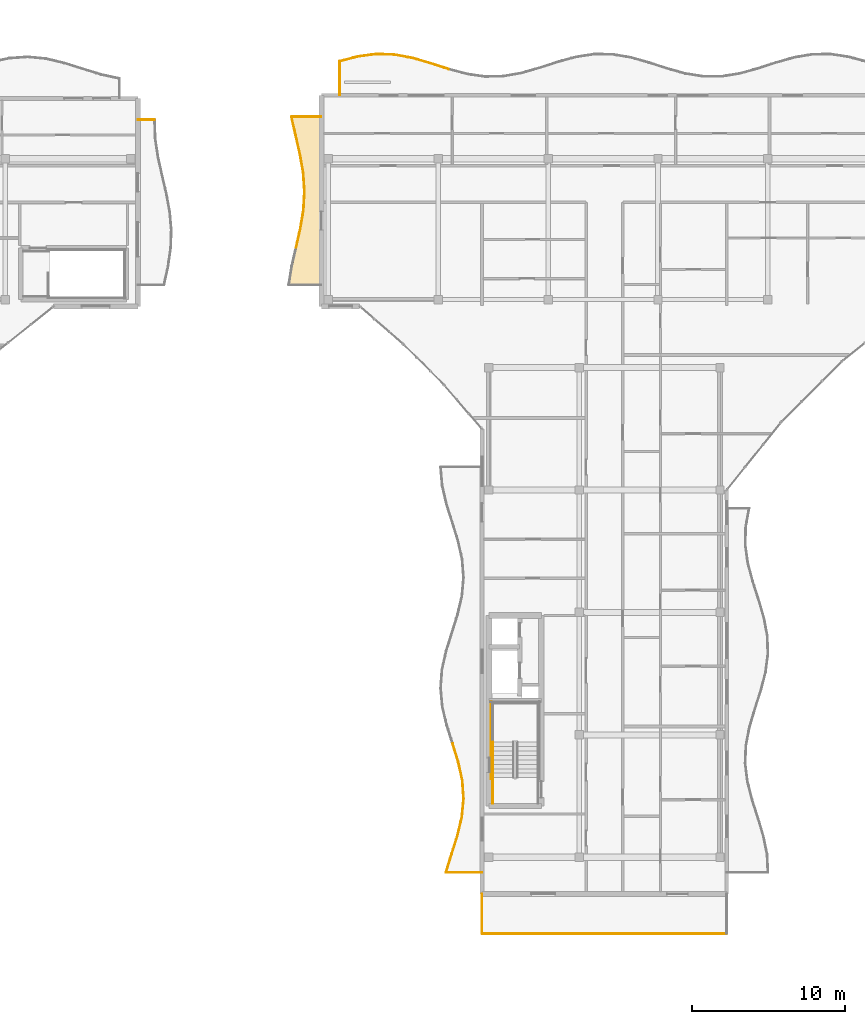
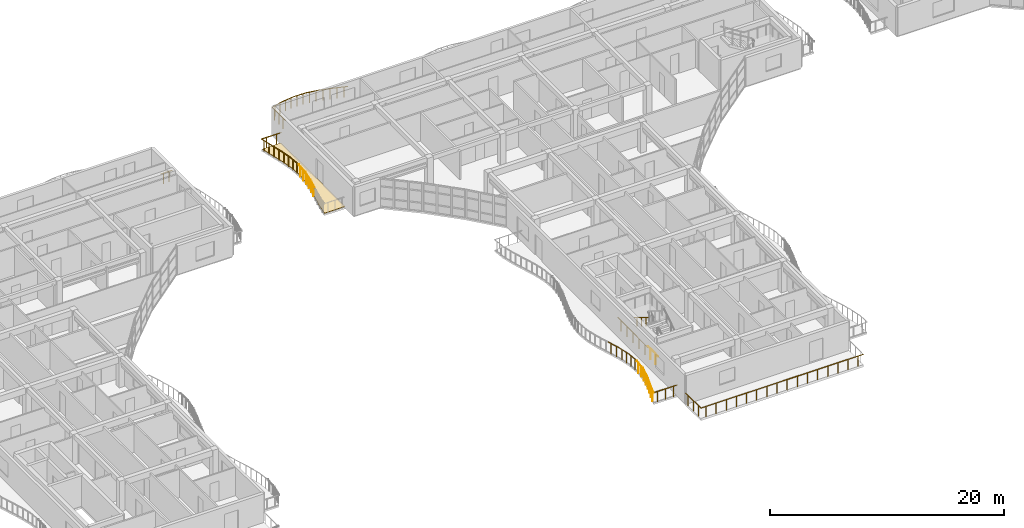
# One storey, part 40 of 49: 29 railings, 1 covering.
"""IFC4 building model written with IfcOpenShell, lengths in metres."""

from ifc_helpers import new_model, si_unit, direction, frame, origin, origin_2d, place, context, subcontext, project, spatial, polyline, circle, outline, extrude, material, layer, layer_set, type_object, element, save


model = new_model("IFC4")

# Units and contexts
model_context = context("Model", 3, precision=1e-05, world=origin(), true_north=direction((0.0, 1.0)))
body_context = subcontext(model_context, "Body", "Model", "MODEL_VIEW")
ifc_project = project(units=[si_unit("LENGTHUNIT", "METRE"), si_unit("AREAUNIT", "SQUARE_METRE"), si_unit("VOLUMEUNIT", "CUBIC_METRE"), si_unit("PLANEANGLEUNIT", "RADIAN"), si_unit("MASSUNIT", "GRAM", prefix="KILO")], contexts=[model_context])

# Site, building, storey
site_placement = place(None, origin())
site = spatial("IfcSite", under=ifc_project, at=site_placement, CompositionType="ELEMENT")
building_placement = place(site_placement, origin())
building = spatial("IfcBuilding", under=site, at=building_placement, Name="Keldmere Railside Commons", CompositionType="ELEMENT")
storey_placement = place(building_placement, frame((0.0, 0.0, 29.760009765625)))
storey = spatial("IfcBuildingStorey", under=building, at=storey_placement, Name="L09", CompositionType="ELEMENT", Elevation=29.760009765625)

# Railings
ifc_material_1 = material(Name="Steel F-24 (S235)", Category="steel")
railing_type_1 = type_object("IfcRailingType", Name="Balcony & Terrace Steel Balustrade 1100", PredefinedType="BALUSTRADE", material=ifc_material_1)
railing_1_placement = place(storey_placement, frame((82.603759765625, 112.199951171875, 0.0)))
element("IfcRailing", 1, at=railing_1_placement, inside=storey, type_object=railing_type_1, Name="GR-1 GRD-L09-1829", PredefinedType="BALUSTRADE", context=body_context, shape_type="SweptSolid", body=[
    extrude(circle(Radius=0.02392578125, at=origin_2d()), frame((0.0, 0.0, 1.076171875), z_axis=(-1.0, 0.0, 0.0), x_axis=(0.0, -1.0, 0.0)), (0.0, 0.0, 1.0), 1.103759765625),
    extrude(circle(Radius=0.02099609375, at=origin_2d()), frame((-0.27587890625, 0.0, 0.0)), (0.0, 0.0, 1.0), 1.048095703125),
    extrude(circle(Radius=0.02099609375, at=origin_2d()), frame((-0.827880859375, 0.0, 0.0)), (0.0, 0.0, 1.0), 1.048095703125),
])
railing_2_placement = place(storey_placement, frame((94.699951171875, 113.800048828125, 0.0)))
element("IfcRailing", 2, at=railing_2_placement, inside=storey, type_object=railing_type_1, Name="GR-1 GRD-L09-2839", PredefinedType="BALUSTRADE", context=body_context, shape_type="SweptSolid", body=[
    extrude(circle(Radius=0.02392578125, at=origin_2d()), frame((0.0, 0.0, 1.076171875), z_axis=(0.0, 1.0, 0.0), x_axis=(-1.0, 0.0, 0.0)), (0.0, 0.0, 1.0), 2.218994140625),
    extrude(circle(Radius=0.02099609375, at=origin_2d()), frame((0.0, 0.369873046875, 0.0)), (0.0, 0.0, 1.0), 1.048095703125),
    extrude(circle(Radius=0.02099609375, at=origin_2d()), frame((0.0, 1.109375, 0.0)), (0.0, 0.0, 1.0), 1.048095703125),
    extrude(circle(Radius=0.02099609375, at=origin_2d()), frame((0.0, 1.84912109375, 0.0)), (0.0, 0.0, 1.0), 1.048095703125),
])
railing_3_placement = place(storey_placement, frame((94.699951171875, 116.01904296875, 0.0)))
element("IfcRailing", 3, at=railing_3_placement, inside=storey, type_object=railing_type_1, Name="GR-1 GRD-L09-2840", PredefinedType="BALUSTRADE", context=body_context, shape_type="SweptSolid", body=[
    extrude(circle(Radius=0.02392578125, at=origin_2d()), frame((0.0, 0.0, 1.076171875), z_axis=(0.967333953499, 0.2535054682, 0.0), x_axis=(-0.2535054682, 0.967333953499, 0.0)), (0.0, 0.0, 1.0), 1.228759765625),
    extrude(circle(Radius=0.02099609375, at=origin_2d()), frame((0.297119140625, 0.077880859375, 0.0)), (0.0, 0.0, 1.0), 1.048095703125),
    extrude(circle(Radius=0.02099609375, at=origin_2d()), frame((0.8916015625, 0.233642578125, 0.0)), (0.0, 0.0, 1.0), 1.048095703125),
])
railing_4_placement = place(storey_placement, frame((95.888671875, 116.33056640625, 0.0)))
element("IfcRailing", 4, at=railing_4_placement, inside=storey, type_object=railing_type_1, Name="GR-1 GRD-L09-2841", PredefinedType="BALUSTRADE", context=body_context, shape_type="SweptSolid", body=[
    extrude(circle(Radius=0.02392578125, at=origin_2d()), frame((0.0, 0.0, 1.076171875), z_axis=(0.991176255735, 0.1325504812, 0.0), x_axis=(-0.1325504812, 0.991176255735, 0.0)), (0.0, 0.0, 1.0), 1.198974609375),
    extrude(circle(Radius=0.02099609375, at=origin_2d()), frame((0.297119140625, 0.039794921875, 0.0)), (0.0, 0.0, 1.0), 1.048095703125),
    extrude(circle(Radius=0.02099609375, at=origin_2d()), frame((0.891357421875, 0.119140625, 0.0)), (0.0, 0.0, 1.0), 1.048095703125),
])
railing_5_placement = place(storey_placement, frame((97.0771484375, 116.489501953125, 0.0)))
element("IfcRailing", 5, at=railing_5_placement, inside=storey, type_object=railing_type_1, Name="GR-1 GRD-L09-2842", PredefinedType="BALUSTRADE", context=body_context, shape_type="SweptSolid", body=[
    extrude(circle(Radius=0.02392578125, at=origin_2d()), frame((0.0, 0.0, 1.076171875), z_axis=(0.999556681353, -0.029773155053, 0.0), x_axis=(0.029773155053, 0.999556681353, 0.0)), (0.0, 0.0, 1.0), 1.18896484375),
    extrude(circle(Radius=0.02099609375, at=origin_2d()), frame((0.297119140625, -0.0087890625, 0.0)), (0.0, 0.0, 1.0), 1.048095703125),
    extrude(circle(Radius=0.02099609375, at=origin_2d()), frame((0.891357421875, -0.026611328125, 0.0)), (0.0, 0.0, 1.0), 1.048095703125),
])
railing_6_placement = place(storey_placement, frame((98.265625, 116.4541015625, 0.0)))
element("IfcRailing", 6, at=railing_6_placement, inside=storey, type_object=railing_type_1, Name="GR-1 GRD-L09-2843", PredefinedType="BALUSTRADE", context=body_context, shape_type="SweptSolid", body=[
    extrude(circle(Radius=0.02392578125, at=origin_2d()), frame((0.0, 0.0, 1.076171875), z_axis=(0.98319753875, -0.182544788464, 0.0), x_axis=(0.182544788464, 0.98319753875, 0.0)), (0.0, 0.0, 1.0), 1.208984375),
    extrude(circle(Radius=0.02099609375, at=origin_2d()), frame((0.297119140625, -0.05517578125, 0.0)), (0.0, 0.0, 1.0), 1.048095703125),
    extrude(circle(Radius=0.02099609375, at=origin_2d()), frame((0.8916015625, -0.16552734375, 0.0)), (0.0, 0.0, 1.0), 1.048095703125),
])
railing_7_placement = place(storey_placement, frame((99.454345703125, 116.2333984375, 0.0)))
element("IfcRailing", 7, at=railing_7_placement, inside=storey, type_object=railing_type_1, Name="GR-1 GRD-L09-2844", PredefinedType="BALUSTRADE", context=body_context, shape_type="SweptSolid", body=[
    extrude(circle(Radius=0.02392578125, at=origin_2d()), frame((0.0, 0.0, 1.076171875), z_axis=(0.959725739227, -0.280938615119, 0.0), x_axis=(0.280938615119, 0.959725739227, 0.0)), (0.0, 0.0, 1.0), 1.23828125),
    extrude(circle(Radius=0.02099609375, at=origin_2d()), frame((0.297119140625, -0.0869140625, 0.0)), (0.0, 0.0, 1.0), 1.048095703125),
    extrude(circle(Radius=0.02099609375, at=origin_2d()), frame((0.891357421875, -0.260986328125, 0.0)), (0.0, 0.0, 1.0), 1.048095703125),
])
railing_8_placement = place(storey_placement, frame((100.642822265625, 115.885498046875, 0.0)))
element("IfcRailing", 8, at=railing_8_placement, inside=storey, type_object=railing_type_1, Name="GR-1 GRD-L09-2845", PredefinedType="BALUSTRADE", context=body_context, shape_type="SweptSolid", body=[
    extrude(circle(Radius=0.02392578125, at=origin_2d()), frame((0.0, 0.0, 1.076171875), z_axis=(0.951727042699, -0.306945656746, 0.0), x_axis=(0.306945656746, 0.951727042699, 0.0)), (0.0, 0.0, 1.0), 1.248779296875),
    extrude(circle(Radius=0.02099609375, at=origin_2d()), frame((0.297119140625, -0.095703125, 0.0)), (0.0, 0.0, 1.0), 1.048095703125),
    extrude(circle(Radius=0.02099609375, at=origin_2d()), frame((0.891357421875, -0.28759765625, 0.0)), (0.0, 0.0, 1.0), 1.048095703125),
])
railing_9_placement = place(storey_placement, frame((104.0, 63.0, 0.0)))
element("IfcRailing", 9, at=railing_9_placement, inside=storey, type_object=railing_type_1, Name="GR-1 GRD-L09-2898", PredefinedType="BALUSTRADE", context=body_context, shape_type="SweptSolid", body=[
    extrude(circle(Radius=0.02392578125, at=origin_2d()), frame((0.0, 0.0, 1.076171875), z_axis=(-1.0, 0.0, 0.0), x_axis=(0.0, -1.0, 0.0)), (0.0, 0.0, 1.0), 2.357666015625),
    extrude(circle(Radius=0.02099609375, at=origin_2d()), frame((-0.39306640625, 0.0, 0.0)), (0.0, 0.0, 1.0), 1.048095703125),
    extrude(circle(Radius=0.02099609375, at=origin_2d()), frame((-1.1787109375, 0.0, 0.0)), (0.0, 0.0, 1.0), 1.048095703125),
    extrude(circle(Radius=0.02099609375, at=origin_2d()), frame((-1.96484375, 0.0, 0.0)), (0.0, 0.0, 1.0), 1.048095703125),
])
railing_10_placement = place(storey_placement, frame((101.642333984375, 63.0, 0.0)))
element("IfcRailing", 10, at=railing_10_placement, inside=storey, type_object=railing_type_1, Name="GR-1 GRD-L09-2899", PredefinedType="BALUSTRADE", context=body_context, shape_type="SweptSolid", body=[
    extrude(circle(Radius=0.02392578125, at=origin_2d()), frame((0.0, 0.0, 1.076171875), z_axis=(0.294235572777, 0.955732926979, 0.0), x_axis=(-0.955732926979, 0.294235572777, 0.0)), (0.0, 0.0, 1.0), 1.260498046875),
    extrude(circle(Radius=0.02099609375, at=origin_2d()), frame((0.0927734375, 0.30126953125, 0.0)), (0.0, 0.0, 1.0), 1.048095703125),
    extrude(circle(Radius=0.02099609375, at=origin_2d()), frame((0.278076171875, 0.9033203125, 0.0)), (0.0, 0.0, 1.0), 1.048095703125),
])
railing_11_placement = place(storey_placement, frame((102.01318359375, 64.20458984375, 0.0)))
element("IfcRailing", 11, at=railing_11_placement, inside=storey, type_object=railing_type_1, Name="GR-1 GRD-L09-2900", PredefinedType="BALUSTRADE", context=body_context, shape_type="SweptSolid", body=[
    extrude(circle(Radius=0.02392578125, at=origin_2d()), frame((0.0, 0.0, 1.076171875), z_axis=(0.301288598616, 0.953532999085, 0.0), x_axis=(-0.953532999085, 0.301288598616, 0.0)), (0.0, 0.0, 1.0), 1.26318359375),
    extrude(circle(Radius=0.02099609375, at=origin_2d()), frame((0.09521484375, 0.30126953125, 0.0)), (0.0, 0.0, 1.0), 1.048095703125),
    extrude(circle(Radius=0.02099609375, at=origin_2d()), frame((0.285400390625, 0.9033203125, 0.0)), (0.0, 0.0, 1.0), 1.048095703125),
])
railing_12_placement = place(storey_placement, frame((102.393798828125, 65.4091796875, 0.0)))
element("IfcRailing", 12, at=railing_12_placement, inside=storey, type_object=railing_type_1, Name="GR-1 GRD-L09-2901", PredefinedType="BALUSTRADE", context=body_context, shape_type="SweptSolid", body=[
    extrude(circle(Radius=0.02392578125, at=origin_2d()), frame((0.0, 0.0, 1.076171875), z_axis=(0.232642132934, 0.972562408272, 0.0), x_axis=(-0.972562408272, 0.232642132934, 0.0)), (0.0, 0.0, 1.0), 1.23828125),
    extrude(circle(Radius=0.02099609375, at=origin_2d()), frame((0.072021484375, 0.301025390625, 0.0)), (0.0, 0.0, 1.0), 1.048095703125),
    extrude(circle(Radius=0.02099609375, at=origin_2d()), frame((0.216064453125, 0.9033203125, 0.0)), (0.0, 0.0, 1.0), 1.048095703125),
])
railing_13_placement = place(storey_placement, frame((102.681884765625, 66.613525390625, 0.0)))
element("IfcRailing", 13, at=railing_13_placement, inside=storey, type_object=railing_type_1, Name="GR-1 GRD-L09-2902", PredefinedType="BALUSTRADE", context=body_context, shape_type="SweptSolid", body=[
    extrude(circle(Radius=0.02392578125, at=origin_2d()), frame((0.0, 0.0, 1.076171875), z_axis=(0.097026860186, 0.995281763323, 0.0), x_axis=(-0.995281763323, 0.097026860186, 0.0)), (0.0, 0.0, 1.0), 1.210205078125),
    extrude(circle(Radius=0.02099609375, at=origin_2d()), frame((0.029296875, 0.30126953125, 0.0)), (0.0, 0.0, 1.0), 1.048095703125),
    extrude(circle(Radius=0.02099609375, at=origin_2d()), frame((0.088134765625, 0.9033203125, 0.0)), (0.0, 0.0, 1.0), 1.048095703125),
])
railing_14_placement = place(storey_placement, frame((102.79931640625, 67.818115234375, 0.0)))
element("IfcRailing", 14, at=railing_14_placement, inside=storey, type_object=railing_type_1, Name="GR-1 GRD-L09-2903", PredefinedType="BALUSTRADE", context=body_context, shape_type="SweptSolid", body=[
    extrude(circle(Radius=0.02392578125, at=origin_2d()), frame((0.0, 0.0, 1.076171875), z_axis=(-0.070356228554, 0.997521930137, 0.0), x_axis=(-0.997521930137, -0.070356228554, 0.0)), (0.0, 0.0, 1.0), 1.20751953125),
    extrude(circle(Radius=0.02099609375, at=origin_2d()), frame((-0.021240234375, 0.30126953125, 0.0)), (0.0, 0.0, 1.0), 1.048095703125),
    extrude(circle(Radius=0.02099609375, at=origin_2d()), frame((-0.063720703125, 0.9033203125, 0.0)), (0.0, 0.0, 1.0), 1.048095703125),
])
railing_15_placement = place(storey_placement, frame((102.71435546875, 69.022705078125, 0.0)))
element("IfcRailing", 15, at=railing_15_placement, inside=storey, type_object=railing_type_1, Name="GR-1 GRD-L09-2904", PredefinedType="BALUSTRADE", context=body_context, shape_type="SweptSolid", body=[
    extrude(circle(Radius=0.02392578125, at=origin_2d()), frame((0.0, 0.0, 1.076171875), z_axis=(-0.214204600301, 0.976788815052, 0.0), x_axis=(-0.976788815052, -0.214204600301, 0.0)), (0.0, 0.0, 1.0), 1.233154296875),
    extrude(circle(Radius=0.02099609375, at=origin_2d()), frame((-0.06591796875, 0.30126953125, 0.0)), (0.0, 0.0, 1.0), 1.048095703125),
    extrude(circle(Radius=0.02099609375, at=origin_2d()), frame((-0.1982421875, 0.9033203125, 0.0)), (0.0, 0.0, 1.0), 1.048095703125),
])
railing_16_placement = place(storey_placement, frame((102.4501953125, 70.227294921875, 0.0)))
element("IfcRailing", 16, at=railing_16_placement, inside=storey, type_object=railing_type_1, Name="GR-1 GRD-L09-2905", PredefinedType="BALUSTRADE", context=body_context, shape_type="SweptSolid", body=[
    extrude(circle(Radius=0.02392578125, at=origin_2d()), frame((0.0, 0.0, 1.076171875), z_axis=(-0.295296629879, 0.955405620866, 0.0), x_axis=(-0.955405620866, -0.295296629879, 0.0)), (0.0, 0.0, 1.0), 1.2607421875),
    extrude(circle(Radius=0.02099609375, at=origin_2d()), frame((-0.093017578125, 0.30126953125, 0.0)), (0.0, 0.0, 1.0), 1.048095703125),
    extrude(circle(Radius=0.02099609375, at=origin_2d()), frame((-0.279296875, 0.9033203125, 0.0)), (0.0, 0.0, 1.0), 1.048095703125),
])
railing_17_placement = place(storey_placement, frame((91.845458984375, 103.844482421875, 0.0)))
element("IfcRailing", 17, at=railing_17_placement, inside=storey, type_object=railing_type_1, Name="GR-1 GRD-L09-2936", PredefinedType="BALUSTRADE", context=body_context, shape_type="SweptSolid", body=[
    extrude(circle(Radius=0.02392578125, at=origin_2d()), frame((0.0, 0.0, 1.076171875), z_axis=(0.223522604913, 0.974698745815, 0.0), x_axis=(-0.974698745815, 0.223522604913, 0.0)), (0.0, 0.0, 1.0), 1.25390625),
    extrude(circle(Radius=0.02099609375, at=origin_2d()), frame((0.070068359375, 0.3056640625, 0.0)), (0.0, 0.0, 1.0), 1.048095703125),
    extrude(circle(Radius=0.02099609375, at=origin_2d()), frame((0.210205078125, 0.91650390625, 0.0)), (0.0, 0.0, 1.0), 1.048095703125),
])
railing_18_placement = place(storey_placement, frame((92.125732421875, 105.066650390625, 0.0)))
element("IfcRailing", 18, at=railing_18_placement, inside=storey, type_object=railing_type_1, Name="GR-1 GRD-L09-2937", PredefinedType="BALUSTRADE", context=body_context, shape_type="SweptSolid", body=[
    extrude(circle(Radius=0.02392578125, at=origin_2d()), frame((0.0, 0.0, 1.076171875), z_axis=(0.164335080649, 0.986404572814, 0.0), x_axis=(-0.986404572814, 0.164335080649, 0.0)), (0.0, 0.0, 1.0), 1.239013671875),
    extrude(circle(Radius=0.02099609375, at=origin_2d()), frame((0.05078125, 0.3056640625, 0.0)), (0.0, 0.0, 1.0), 1.048095703125),
    extrude(circle(Radius=0.02099609375, at=origin_2d()), frame((0.15283203125, 0.91650390625, 0.0)), (0.0, 0.0, 1.0), 1.048095703125),
])
railing_19_placement = place(storey_placement, frame((92.329345703125, 106.288818359375, 0.0)))
element("IfcRailing", 19, at=railing_19_placement, inside=storey, type_object=railing_type_1, Name="GR-1 GRD-L09-2938", PredefinedType="BALUSTRADE", context=body_context, shape_type="SweptSolid", body=[
    extrude(circle(Radius=0.02392578125, at=origin_2d()), frame((0.0, 0.0, 1.076171875), z_axis=(0.057634759412, 0.998337735692, 0.0), x_axis=(-0.998337735692, 0.057634759412, 0.0)), (0.0, 0.0, 1.0), 1.22412109375),
    extrude(circle(Radius=0.02099609375, at=origin_2d()), frame((0.017578125, 0.3056640625, 0.0)), (0.0, 0.0, 1.0), 1.048095703125),
    extrude(circle(Radius=0.02099609375, at=origin_2d()), frame((0.052978515625, 0.91650390625, 0.0)), (0.0, 0.0, 1.0), 1.048095703125),
])
railing_20_placement = place(storey_placement, frame((92.39990234375, 107.510986328125, 0.0)))
element("IfcRailing", 20, at=railing_20_placement, inside=storey, type_object=railing_type_1, Name="GR-1 GRD-L09-2939", PredefinedType="BALUSTRADE", context=body_context, shape_type="SweptSolid", body=[
    extrude(circle(Radius=0.02392578125, at=origin_2d()), frame((0.0, 0.0, 1.076171875), z_axis=(-0.067153838102, 0.997742633162, 0.0), x_axis=(-0.997742633162, -0.067153838102, 0.0)), (0.0, 0.0, 1.0), 1.22509765625),
    extrude(circle(Radius=0.02099609375, at=origin_2d()), frame((-0.0205078125, 0.3056640625, 0.0)), (0.0, 0.0, 1.0), 1.048095703125),
    extrude(circle(Radius=0.02099609375, at=origin_2d()), frame((-0.061767578125, 0.916748046875, 0.0)), (0.0, 0.0, 1.0), 1.048095703125),
])
railing_21_placement = place(storey_placement, frame((92.317626953125, 108.7333984375, 0.0)))
element("IfcRailing", 21, at=railing_21_placement, inside=storey, type_object=railing_type_1, Name="GR-1 GRD-L09-2940", PredefinedType="BALUSTRADE", context=body_context, shape_type="SweptSolid", body=[
    extrude(circle(Radius=0.02392578125, at=origin_2d()), frame((0.0, 0.0, 1.076171875), z_axis=(-0.170842774128, 0.985298303322, 0.0), x_axis=(-0.985298303322, -0.170842774128, 0.0)), (0.0, 0.0, 1.0), 1.240478515625),
    extrude(circle(Radius=0.02099609375, at=origin_2d()), frame((-0.052978515625, 0.3056640625, 0.0)), (0.0, 0.0, 1.0), 1.048095703125),
    extrude(circle(Radius=0.02099609375, at=origin_2d()), frame((-0.158935546875, 0.91650390625, 0.0)), (0.0, 0.0, 1.0), 1.048095703125),
])
railing_22_placement = place(storey_placement, frame((92.105712890625, 109.95556640625, 0.0)))
element("IfcRailing", 22, at=railing_22_placement, inside=storey, type_object=railing_type_1, Name="GR-1 GRD-L09-2941", PredefinedType="BALUSTRADE", context=body_context, shape_type="SweptSolid", body=[
    extrude(circle(Radius=0.02392578125, at=origin_2d()), frame((0.0, 0.0, 1.076171875), z_axis=(-0.225740598994, 0.974187447038, 0.0), x_axis=(-0.974187447038, -0.225740598994, 0.0)), (0.0, 0.0, 1.0), 1.254638671875),
    extrude(circle(Radius=0.02099609375, at=origin_2d()), frame((-0.07080078125, 0.3056640625, 0.0)), (0.0, 0.0, 1.0), 1.048095703125),
    extrude(circle(Radius=0.02099609375, at=origin_2d()), frame((-0.21240234375, 0.91650390625, 0.0)), (0.0, 0.0, 1.0), 1.048095703125),
])
railing_23_placement = place(storey_placement, frame((91.822509765625, 111.177734375, 0.0)))
element("IfcRailing", 23, at=railing_23_placement, inside=storey, type_object=railing_type_1, Name="GR-1 GRD-L09-2942", PredefinedType="BALUSTRADE", context=body_context, shape_type="SweptSolid", body=[
    extrude(circle(Radius=0.02392578125, at=origin_2d()), frame((0.0, 0.0, 1.076171875), z_axis=(-0.219818233224, 0.975540847091, 0.0), x_axis=(-0.975540847091, -0.219818233224, 0.0)), (0.0, 0.0, 1.0), 1.2529296875),
    extrude(circle(Radius=0.02099609375, at=origin_2d()), frame((-0.06884765625, 0.3056640625, 0.0)), (0.0, 0.0, 1.0), 1.048095703125),
    extrude(circle(Radius=0.02099609375, at=origin_2d()), frame((-0.20654296875, 0.91650390625, 0.0)), (0.0, 0.0, 1.0), 1.048095703125),
])
railing_24_placement = place(storey_placement, frame((91.547119140625, 112.39990234375, 0.0)))
element("IfcRailing", 24, at=railing_24_placement, inside=storey, type_object=railing_type_1, Name="GR-1 GRD-L09-2943", PredefinedType="BALUSTRADE", context=body_context, shape_type="SweptSolid", body=[
    extrude(circle(Radius=0.02392578125, at=origin_2d()), frame((0.0, 0.0, 1.076171875), z_axis=(1.0, 0.0, 0.0), x_axis=(0.0, 1.0, 0.0)), (0.0, 0.0, 1.0), 1.952880859375),
    extrude(circle(Radius=0.02099609375, at=origin_2d()), frame((0.48828125, 0.0, 0.0)), (0.0, 0.0, 1.0), 1.048095703125),
    extrude(circle(Radius=0.02099609375, at=origin_2d()), frame((1.464599609375, 0.0, 0.0)), (0.0, 0.0, 1.0), 1.048095703125),
])
railing_25_placement = place(storey_placement, frame((104.0, 61.60009765625, 0.0)))
element("IfcRailing", 25, at=railing_25_placement, inside=storey, type_object=railing_type_1, Name="GR-1 GRD-L09-2944", PredefinedType="BALUSTRADE", context=body_context, shape_type="SweptSolid", body=[
    extrude(circle(Radius=0.02392578125, at=origin_2d()), frame((0.0, 0.0, 1.076171875), z_axis=(0.0, -1.0, 0.0), x_axis=(1.0, 0.0, 0.0)), (0.0, 0.0, 1.0), 2.60009765625),
    extrude(circle(Radius=0.02099609375, at=origin_2d()), frame((0.0, -0.433349609375, 0.0)), (0.0, 0.0, 1.0), 1.048095703125),
    extrude(circle(Radius=0.02099609375, at=origin_2d()), frame((0.0, -1.300048828125, 0.0)), (0.0, 0.0, 1.0), 1.048095703125),
    extrude(circle(Radius=0.02099609375, at=origin_2d()), frame((0.0, -2.166748046875, 0.0)), (0.0, 0.0, 1.0), 1.048095703125),
])
railing_26_placement = place(storey_placement, frame((104.0, 59.0, 0.0)))
element("IfcRailing", 26, at=railing_26_placement, inside=storey, type_object=railing_type_1, Name="GR-1 GRD-L09-2945", PredefinedType="BALUSTRADE", context=body_context, shape_type="SweptSolid", body=[
    extrude(circle(Radius=0.02392578125, at=origin_2d()), frame((0.0, 0.0, 1.076171875), z_axis=(1.0, 0.0, 0.0), x_axis=(0.0, 1.0, 0.0)), (0.0, 0.0, 1.0), 16.0),
    extrude(circle(Radius=0.02099609375, at=origin_2d()), frame((0.5, 0.0, 0.0)), (0.0, 0.0, 1.0), 1.048095703125),
    extrude(circle(Radius=0.02099609375, at=origin_2d()), frame((1.5, 0.0, 0.0)), (0.0, 0.0, 1.0), 1.048095703125),
    extrude(circle(Radius=0.02099609375, at=origin_2d()), frame((2.5, 0.0, 0.0)), (0.0, 0.0, 1.0), 1.048095703125),
    extrude(circle(Radius=0.02099609375, at=origin_2d()), frame((3.5, 0.0, 0.0)), (0.0, 0.0, 1.0), 1.048095703125),
    extrude(circle(Radius=0.02099609375, at=origin_2d()), frame((4.5, 0.0, 0.0)), (0.0, 0.0, 1.0), 1.048095703125),
    extrude(circle(Radius=0.02099609375, at=origin_2d()), frame((5.5, 0.0, 0.0)), (0.0, 0.0, 1.0), 1.048095703125),
    extrude(circle(Radius=0.02099609375, at=origin_2d()), frame((6.5, 0.0, 0.0)), (0.0, 0.0, 1.0), 1.048095703125),
    extrude(circle(Radius=0.02099609375, at=origin_2d()), frame((7.5, 0.0, 0.0)), (0.0, 0.0, 1.0), 1.048095703125),
    extrude(circle(Radius=0.02099609375, at=origin_2d()), frame((8.5, 0.0, 0.0)), (0.0, 0.0, 1.0), 1.048095703125),
    extrude(circle(Radius=0.02099609375, at=origin_2d()), frame((9.5, 0.0, 0.0)), (0.0, 0.0, 1.0), 1.048095703125),
    extrude(circle(Radius=0.02099609375, at=origin_2d()), frame((10.5, 0.0, 0.0)), (0.0, 0.0, 1.0), 1.048095703125),
    extrude(circle(Radius=0.02099609375, at=origin_2d()), frame((11.5, 0.0, 0.0)), (0.0, 0.0, 1.0), 1.048095703125),
    extrude(circle(Radius=0.02099609375, at=origin_2d()), frame((12.5, 0.0, 0.0)), (0.0, 0.0, 1.0), 1.048095703125),
    extrude(circle(Radius=0.02099609375, at=origin_2d()), frame((13.5, 0.0, 0.0)), (0.0, 0.0, 1.0), 1.048095703125),
    extrude(circle(Radius=0.02099609375, at=origin_2d()), frame((14.5, 0.0, 0.0)), (0.0, 0.0, 1.0), 1.048095703125),
    extrude(circle(Radius=0.02099609375, at=origin_2d()), frame((15.5, 0.0, 0.0)), (0.0, 0.0, 1.0), 1.048095703125),
])
railing_type_2 = type_object("IfcRailingType", Name="Stair Well Steel Guardrail 1100", PredefinedType="BALUSTRADE", material=ifc_material_1)
railing_27_placement = place(storey_placement, frame((104.699951171875, 67.5, 0.0)))
element("IfcRailing", 27, at=railing_27_placement, inside=storey, type_object=railing_type_2, Name="L09 ST-B1 stair guard 9", PredefinedType="BALUSTRADE", context=body_context, shape_type="SweptSolid", body=[
    extrude(circle(Radius=0.02392578125, at=origin_2d()), frame((0.0, 0.0, 1.076171875), z_axis=(0.0, 1.0, 0.0), x_axis=(-1.0, 0.0, 0.0)), (0.0, 0.0, 1.0), 1.699951171875),
    extrude(circle(Radius=0.02099609375, at=origin_2d()), frame((0.0, 0.425048828125, 0.0)), (0.0, 0.0, 1.0), 1.048095703125),
    extrude(circle(Radius=0.02099609375, at=origin_2d()), frame((0.0, 1.27490234375, 0.0)), (0.0, 0.0, 1.0), 1.048095703125),
])
railing_28_placement = place(storey_placement, frame((104.60009765625, 69.10009765625, 0.0)))
element("IfcRailing", 28, at=railing_28_placement, inside=storey, type_object=railing_type_2, Name="L09 ST-B1 stair guard 11", PredefinedType="BALUSTRADE", context=body_context, shape_type="SweptSolid", body=[
    extrude(circle(Radius=0.02392578125, at=origin_2d()), frame((0.0, 0.0, 1.076171875), z_axis=(0.0, 1.0, 0.0), x_axis=(-1.0, 0.0, 0.0)), (0.0, 0.0, 1.0), 5.099853515625),
    extrude(circle(Radius=0.02099609375, at=origin_2d()), frame((0.0, 0.510009765625, 0.0)), (0.0, 0.0, 1.0), 1.048095703125),
    extrude(circle(Radius=0.02099609375, at=origin_2d()), frame((0.0, 1.530029296875, 0.0)), (0.0, 0.0, 1.0), 1.048095703125),
    extrude(circle(Radius=0.02099609375, at=origin_2d()), frame((0.0, 2.5498046875, 0.0)), (0.0, 0.0, 1.0), 1.048095703125),
    extrude(circle(Radius=0.02099609375, at=origin_2d()), frame((0.0, 3.56982421875, 0.0)), (0.0, 0.0, 1.0), 1.048095703125),
    extrude(circle(Radius=0.02099609375, at=origin_2d()), frame((0.0, 4.58984375, 0.0)), (0.0, 0.0, 1.0), 1.048095703125),
])
railing_type_3 = type_object("IfcRailingType", Name="Wall-Mounted Tubular Steel Handrail 900", PredefinedType="HANDRAIL", material=ifc_material_1)
railing_29_placement = place(storey_placement, frame((104.699951171875, 71.52001953125, 1.77783203125)))
element("IfcRailing", 29, at=railing_29_placement, inside=storey, type_object=railing_type_3, Name="L09 ST-B1 stair handrail 2", PredefinedType="HANDRAIL", context=body_context, shape_type="SweptSolid", body=[
    extrude(circle(Radius=0.02392578125, at=origin_2d()), frame((0.0, 0.0, 0.8759765625), z_axis=(0.0, -0.852578041948, 0.522599925744), x_axis=(1.0, 0.0, 0.0)), (0.0, 0.0, 1.0), 2.72119140625),
    extrude(circle(Radius=0.02099609375, at=origin_2d()), frame((0.0, -0.38671875, 0.237060546875)), (0.0, 0.0, 1.0), 0.847900390625),
    extrude(circle(Radius=0.02099609375, at=origin_2d()), frame((0.0, -1.16015625, 0.7109375)), (0.0, 0.0, 1.0), 0.847900390625),
    extrude(circle(Radius=0.02099609375, at=origin_2d()), frame((0.0, -1.933349609375, 1.18505859375)), (0.0, 0.0, 1.0), 0.847900390625),
])

# Covering
ifc_material_2 = material(Name="White Precast Concrete C35/45", Category="concrete")
ifc_layer = layer(ifc_material_2, 0.044921875, Name="White Architectural Balcony Ribbon Cladding 45")
ifc_layer_set = layer_set([ifc_layer], Name="White Precast Concrete C35/45")
covering_type = type_object("IfcCoveringType", Name="White Architectural Balcony Ribbon Cladding 45", PredefinedType="FLOORING", material=ifc_layer_set)
covering_placement = place(storey_placement, origin())
element("IfcCovering", 30, at=covering_placement, inside=storey, type_object=covering_type, Name="CLG-WB B L09 WW White Balcony Ribbon", PredefinedType="FLOORING", context=body_context, shape_type="SweptSolid", body=[
    extrude(outline(polyline([(93.4599609375, 112.360107421875), (91.59716796875, 112.360107421875), (91.861572265625, 111.186767578125), (92.14453125, 109.964599609375), (92.14501953125, 109.96240234375), (92.357177734375, 108.739990234375), (92.357666015625, 108.736083984375), (92.439697265625, 107.513916015625), (92.439697265625, 107.5087890625), (92.369384765625, 106.28662109375), (92.368896484375, 106.2822265625), (92.165283203125, 105.06005859375), (92.164794921875, 105.057861328125), (91.884521484375, 103.83544921875), (91.605712890625, 102.614501953125), (91.413330078125, 101.43994140625), (93.4599609375, 101.43994140625), (93.4599609375, 112.360107421875)])), origin(), (0.0, 0.0, 1.0), 0.044921875),
])

save(model, "model.ifc")
